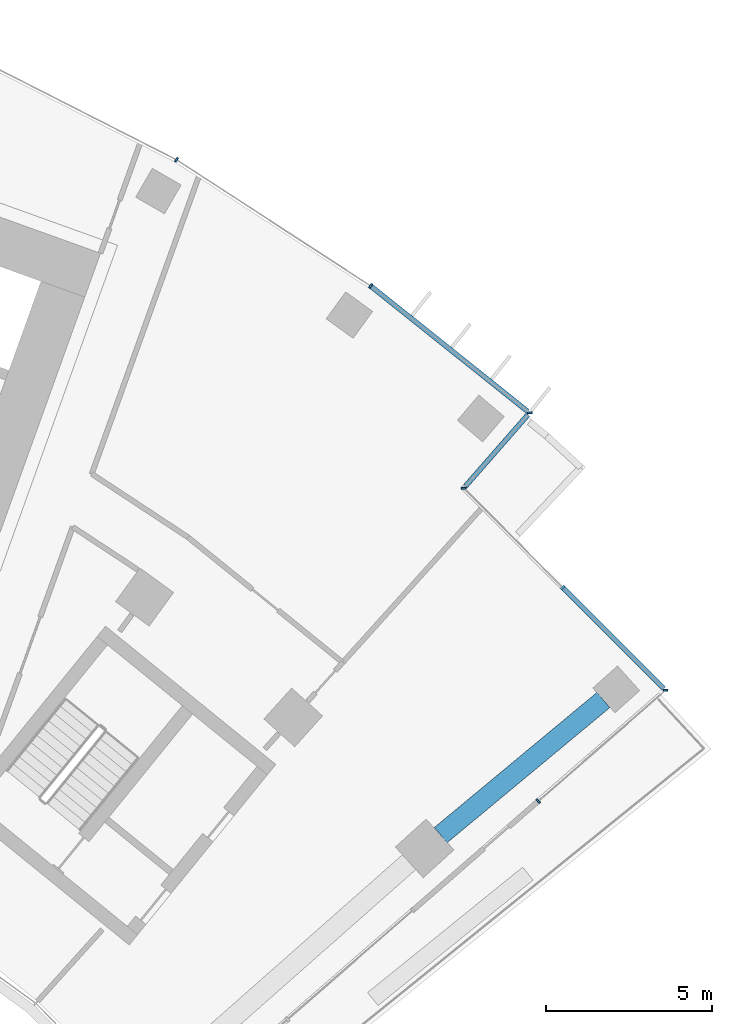
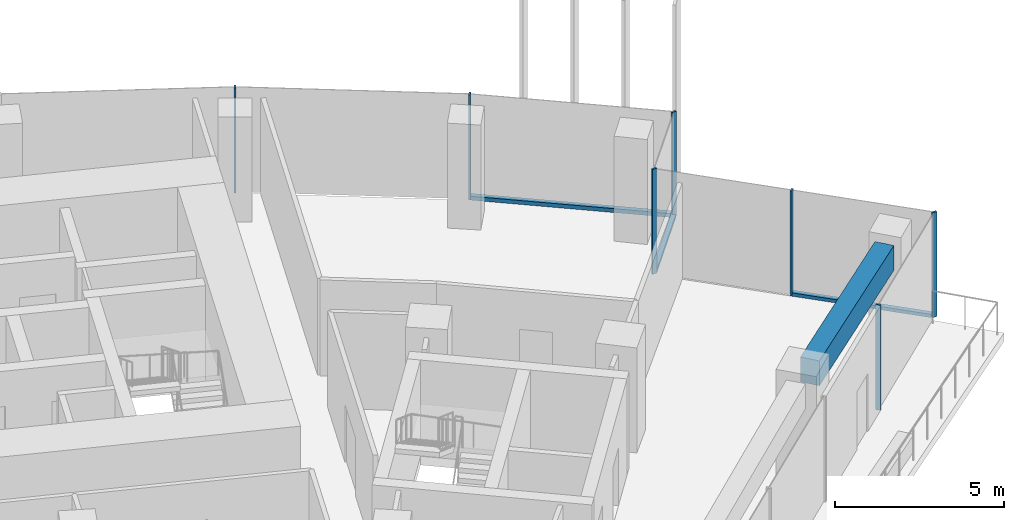
# One storey, part 9 of 20: 10 members, 1 beam, 4 elements without a shape of their own.
"""IFC4 building model written with IfcOpenShell, lengths in metres."""

from ifc_helpers import new_model, si_unit, direction, frame, origin, origin_2d, place, context, subcontext, project, spatial, rectangle, extrude, material, layer, layer_set, material_profile, profile_set, type_object, element, aggregate, save


model = new_model("IFC4")

# Units and contexts
model_context = context("Model", 3, precision=1e-05, world=origin(), true_north=direction((0.0, 1.0)))
body_context = subcontext(model_context, "Body", "Model", "MODEL_VIEW")
ifc_project = project(units=[si_unit("LENGTHUNIT", "METRE"), si_unit("AREAUNIT", "SQUARE_METRE"), si_unit("VOLUMEUNIT", "CUBIC_METRE"), si_unit("PLANEANGLEUNIT", "RADIAN"), si_unit("MASSUNIT", "GRAM", prefix="KILO")], contexts=[model_context])

# Site, building, storey
site_placement = place(None, origin())
site = spatial("IfcSite", under=ifc_project, at=site_placement, CompositionType="ELEMENT")
building_placement = place(site_placement, origin())
building = spatial("IfcBuilding", under=site, at=building_placement, Name="Stone Belt Terrace Tower", CompositionType="ELEMENT")
storey_placement = place(building_placement, frame((0.0, 0.0, 170.60009765625)))
storey = spatial("IfcBuildingStorey", under=building, at=storey_placement, Name="L41", CompositionType="ELEMENT", Elevation=170.60009765625)

# Curtain wall, members
ifc_material_1 = material(Name="Aluminium 6063-T6 anodised frame", Category="aluminium")
ifc_layer_1 = layer(ifc_material_1, 0.14990234375)
ifc_layer_set_1 = layer_set([ifc_layer_1], Name="CW-A unitised convex-face curtain wall")
curtain_wall_type_1 = type_object("IfcCurtainWallType", Name="CW-A unitised convex-face curtain wall", PredefinedType="NOTDEFINED", material=ifc_layer_set_1)
curtain_wall_1_placement = place(storey_placement, origin())
curtain_wall_1 = element("IfcCurtainWall", 1, at=curtain_wall_1_placement, inside=storey, type_object=curtain_wall_type_1, Name="CW-A convex face L41", PredefinedType="NOTDEFINED")
ifc_material_profile_1 = material_profile(ifc_material_1, rectangle(XDim=0.14990234375, YDim=0.06005859375, at=origin_2d()), Name="Aluminium 6063-T6 60x150")
ifc_profile_set_1 = profile_set([ifc_material_profile_1], Name="Aluminium 6063-T6 anodised frame")
member_type_1 = type_object("IfcMemberType", Name="CW-A mullion 60 x 150", PredefinedType="MULLION", material=ifc_profile_set_1)
member_1_placement = place(storey_placement, frame((43.91748046875, 50.03955078125, 0.0), z_axis=(0.0, 0.0, 1.0), x_axis=(-0.996049824893, -0.088796094119, 0.0)))
member_1 = element("IfcMember", 2, at=member_1_placement, type_object=member_type_1, Name="CW-A mullion 1", PredefinedType="MULLION", context=body_context, shape_type="SweptSolid", body=[
    extrude(rectangle(XDim=0.14990234375, YDim=0.06005859375, at=origin_2d()), origin(), (0.0, 0.0, 1.0), 3.7998046875),
])
member_2_placement = place(storey_placement, frame((39.131591796875, 53.860595703125, 0.0), z_axis=(0.0, 0.0, 1.0), x_axis=(-0.58498432965, -0.811044594375, 0.0)))
member_2 = element("IfcMember", 3, at=member_2_placement, type_object=member_type_1, Name="CW-A mullion 2", PredefinedType="MULLION", context=body_context, shape_type="SweptSolid", body=[
    extrude(rectangle(XDim=0.14990234375, YDim=0.06005859375, at=origin_2d()), origin(), (0.0, 0.0, 1.0), 3.7998046875),
])
member_3_placement = place(storey_placement, frame((33.28759765625, 57.65576171875, 0.0), z_axis=(0.0, 0.0, 1.0), x_axis=(-0.5, -0.866025403784, 0.0)))
member_3 = element("IfcMember", 4, at=member_3_placement, type_object=member_type_1, Name="CW-A mullion 3", PredefinedType="MULLION", context=body_context, shape_type="SweptSolid", body=[
    extrude(rectangle(XDim=0.14990234375, YDim=0.06005859375, at=origin_2d()), origin(), (0.0, 0.0, 1.0), 3.7998046875),
])
ifc_material_profile_2 = material_profile(ifc_material_1, rectangle(XDim=0.14990234375, YDim=0.139892578125, at=origin_2d()), Name="Aluminium 6063-T6 150x140")
ifc_profile_set_2 = profile_set([ifc_material_profile_2], Name="Aluminium 6063-T6 anodised frame")
member_type_2 = type_object("IfcMemberType", Name="CW-A transom 140 x 150", PredefinedType="USERDEFINED", material=ifc_profile_set_2)
member_4_placement = place(storey_placement, frame((43.85888671875, 50.086181640625, 0.06982421875), z_axis=(-0.78146238199, 0.623952358385, 0.0), x_axis=(-0.623952358385, -0.78146238199, 0.0)))
member_4 = element("IfcMember", 5, at=member_4_placement, type_object=member_type_2, Name="CW-A transom 1.1", ObjectType="TRANSOM", PredefinedType="USERDEFINED", context=body_context, shape_type="SweptSolid", body=[
    extrude(rectangle(XDim=0.14990234375, YDim=0.139892578125, at=origin_2d()), origin(), (0.0, 0.0, 1.0), 6.015625),
])
aggregate(curtain_wall_1, [member_1, member_2, member_3, member_4])

# Curtain wall, member
ifc_layer_2 = layer(ifc_material_1, 0.14990234375)
ifc_layer_set_2 = layer_set([ifc_layer_2], Name="CW-C stick curtain wall, horn ends and notches")
curtain_wall_type_2 = type_object("IfcCurtainWallType", Name="CW-C stick curtain wall, horn ends and notches", PredefinedType="NOTDEFINED", material=ifc_layer_set_2)
curtain_wall_2_placement = place(storey_placement, origin())
curtain_wall_2 = element("IfcCurtainWall", 6, at=curtain_wall_2_placement, inside=storey, type_object=curtain_wall_type_2, Name="CW-C end face L41", PredefinedType="NOTDEFINED")
ifc_material_profile_3 = material_profile(ifc_material_1, rectangle(XDim=0.14990234375, YDim=0.06005859375, at=origin_2d()), Name="Aluminium 6063-T6 60x150")
ifc_profile_set_3 = profile_set([ifc_material_profile_3], Name="Aluminium 6063-T6 anodised frame")
member_type_3 = type_object("IfcMemberType", Name="CW-C mullion 60 x 150", PredefinedType="MULLION", material=ifc_profile_set_3)
member_5_placement = place(storey_placement, frame((44.174072265625, 38.352294921875, 0.0), z_axis=(0.0, 0.0, 1.0), x_axis=(-0.65656142871, 0.754272557058, 0.0)))
member_5 = element("IfcMember", 7, at=member_5_placement, type_object=member_type_3, Name="CW-C mullion 4", PredefinedType="MULLION", context=body_context, shape_type="SweptSolid", body=[
    extrude(rectangle(XDim=0.14990234375, YDim=0.06005859375, at=origin_2d()), origin(), (0.0, 0.0, 1.0), 3.7998046875),
])
aggregate(curtain_wall_2, [member_5])

# Curtain wall, members
curtain_wall_3_placement = place(storey_placement, origin())
curtain_wall_3 = element("IfcCurtainWall", 8, at=curtain_wall_3_placement, inside=storey, type_object=curtain_wall_type_2, Name="CW-C notch face L41", PredefinedType="NOTDEFINED")
member_6_placement = place(storey_placement, frame((48.006103515625, 41.687744140625, 0.0), z_axis=(0.0, 0.0, 1.0), x_axis=(-0.999376571232, 0.03530536605, 0.0)))
member_6 = element("IfcMember", 9, at=member_6_placement, type_object=member_type_3, Name="CW-C mullion 1", PredefinedType="MULLION", context=body_context, shape_type="SweptSolid", body=[
    extrude(rectangle(XDim=0.14990234375, YDim=0.06005859375, at=origin_2d()), origin(), (0.0, 0.0, 1.0), 3.7998046875),
])
member_7_placement = place(storey_placement, frame((44.917724609375, 44.78515625, 0.0), z_axis=(0.0, 0.0, 1.0), x_axis=(-0.70815119576, -0.706060821703, 0.0)))
member_7 = element("IfcMember", 10, at=member_7_placement, type_object=member_type_3, Name="CW-C mullion 2", PredefinedType="MULLION", context=body_context, shape_type="SweptSolid", body=[
    extrude(rectangle(XDim=0.14990234375, YDim=0.06005859375, at=origin_2d()), origin(), (0.0, 0.0, 1.0), 3.7998046875),
])

# Curtain wall, member
curtain_wall_4_placement = place(storey_placement, origin())
curtain_wall_4 = element("IfcCurtainWall", 11, at=curtain_wall_4_placement, inside=storey, type_object=curtain_wall_type_2, Name="CW-C notch face L41", PredefinedType="NOTDEFINED")
member_8_placement = place(storey_placement, frame((41.935546875, 47.776123046875, 0.0), z_axis=(0.0, 0.0, 1.0), x_axis=(-0.99947657515, -0.032350822665, 0.0)))
member_8 = element("IfcMember", 12, at=member_8_placement, type_object=member_type_3, Name="CW-C mullion 1", PredefinedType="MULLION", context=body_context, shape_type="SweptSolid", body=[
    extrude(rectangle(XDim=0.14990234375, YDim=0.06005859375, at=origin_2d()), origin(), (0.0, 0.0, 1.0), 3.7998046875),
])

# Member
ifc_material_profile_4 = material_profile(ifc_material_1, rectangle(XDim=0.14990234375, YDim=0.1201171875, at=origin_2d()), Name="Aluminium 6063-T6 150x120")
ifc_profile_set_4 = profile_set([ifc_material_profile_4], Name="Aluminium 6063-T6 anodised frame")
member_type_4 = type_object("IfcMemberType", Name="CW-C transom 120 x 150", PredefinedType="USERDEFINED", material=ifc_profile_set_4)
member_9_placement = place(storey_placement, frame((47.952880859375, 41.740966796875, 0.059814453125), z_axis=(-0.70604791857, 0.70816406057, 0.0), x_axis=(-0.70816406057, -0.70604791857, 0.0)))
member_9 = element("IfcMember", 13, at=member_9_placement, type_object=member_type_4, Name="CW-C transom 1.1", ObjectType="TRANSOM", PredefinedType="USERDEFINED", context=body_context, shape_type="SweptSolid", body=[
    extrude(rectangle(XDim=0.14990234375, YDim=0.1201171875, at=origin_2d()), origin(), (0.0, 0.0, 1.0), 4.268798828125),
])

aggregate(curtain_wall_3, [member_6, member_7, member_9])

member_10_placement = place(storey_placement, frame((41.98388671875, 47.831298828125, 0.059814453125), z_axis=(0.658782538551, 0.752333414717, 0.0), x_axis=(-0.752333414717, 0.658782538551, 0.0)))
member_10 = element("IfcMember", 14, at=member_10_placement, type_object=member_type_4, Name="CW-C transom 1.1", ObjectType="TRANSOM", PredefinedType="USERDEFINED", context=body_context, shape_type="SweptSolid", body=[
    extrude(rectangle(XDim=0.14990234375, YDim=0.1201171875, at=origin_2d()), origin(), (0.0, 0.0, 1.0), 2.8603515625),
])

aggregate(curtain_wall_4, [member_8, member_10])

# Beam
ifc_material_2 = material(Name="Concrete B60", Category="concrete")
ifc_material_profile_5 = material_profile(ifc_material_2, rectangle(XDim=0.60009765625, YDim=0.89990234375, at=origin_2d()), Name="RC 600x900")
ifc_profile_set_5 = profile_set([ifc_material_profile_5], Name="Concrete B60")
beam_type = type_object("IfcBeamType", Name="Edge beam RC 600x900 B60", PredefinedType="SPANDREL", material=ifc_profile_set_5)
beam_placement = place(storey_placement, frame((41.2392578125, 37.3291015625, 3.02978515625), z_axis=(0.769366872877, 0.638807181331, 0.0), x_axis=(-0.638807181331, 0.769366872877, 0.0)))
element("IfcBeam", 15, at=beam_placement, inside=storey, type_object=beam_type, Name="Edge beam L41 B Q to R", PredefinedType="SPANDREL", context=body_context, shape_type="SweptSolid", body=[
    extrude(rectangle(XDim=0.60009765625, YDim=0.89990234375, at=origin_2d()), origin(), (0.0, 0.0, 1.0), 6.369140625),
])

save(model, "model.ifc")
